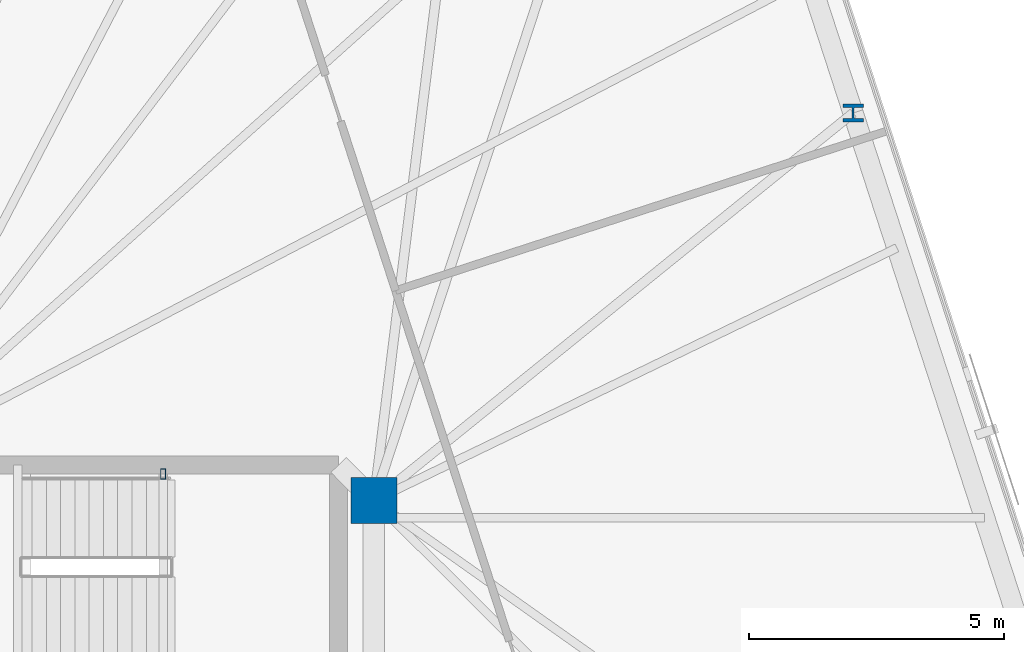
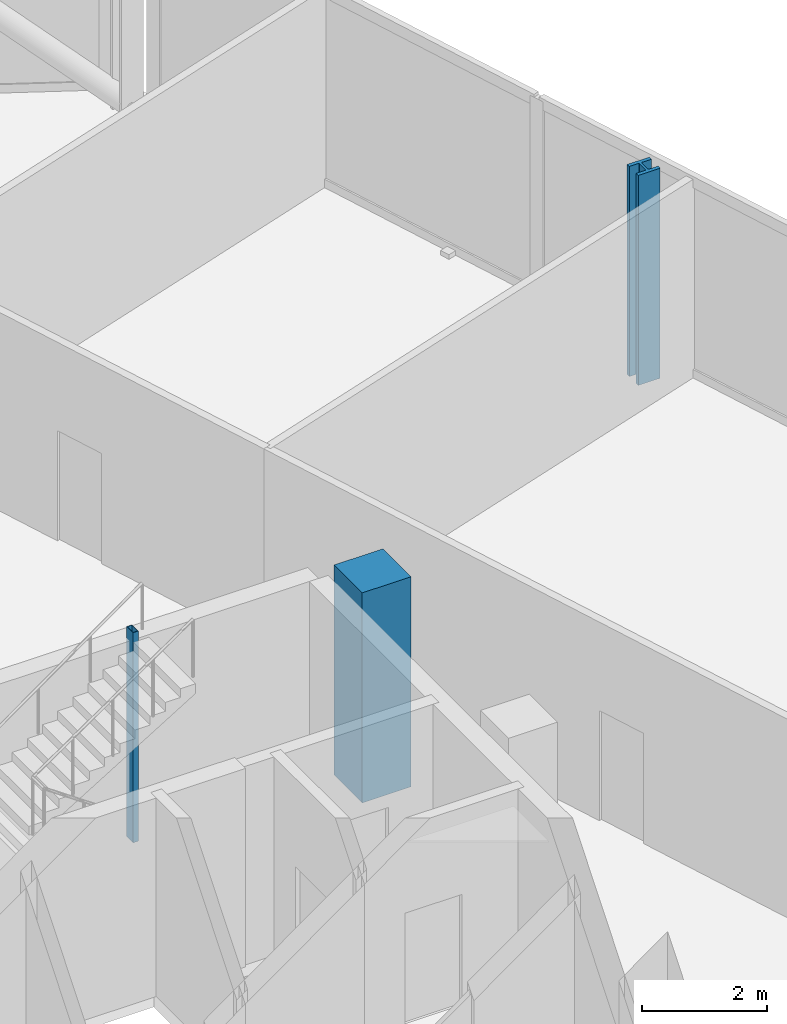
# One storey, part 3 of 14: 3 columns.
"""IFC4 building model written with IfcOpenShell, lengths in metres."""

from ifc_helpers import new_model, si_unit, direction, frame, origin, origin_2d, place, context, subcontext, project, spatial, rectangle, hollow_rectangle, i_section, extrude, material, material_profile, profile_set, type_object, element, save


model = new_model("IFC4")

# Units and contexts
model_context = context("Model", 3, precision=1e-05, world=origin(), true_north=direction((0.0, 1.0)))
body_context = subcontext(model_context, "Body", "Model", "MODEL_VIEW")
ifc_project = project(units=[si_unit("LENGTHUNIT", "METRE"), si_unit("AREAUNIT", "SQUARE_METRE"), si_unit("VOLUMEUNIT", "CUBIC_METRE"), si_unit("PLANEANGLEUNIT", "RADIAN"), si_unit("MASSUNIT", "GRAM", prefix="KILO")], contexts=[model_context])

# Site, building, storey
site_placement = place(None, origin())
site = spatial("IfcSite", under=ifc_project, at=site_placement, CompositionType="ELEMENT")
building_placement = place(site_placement, origin())
building = spatial("IfcBuilding", under=site, at=building_placement, Name="Menara Jurai Vektor", CompositionType="ELEMENT")
storey_placement = place(building_placement, frame((0.0, 0.0, 206.800048828125)))
storey = spatial("IfcBuildingStorey", under=building, at=storey_placement, Name="L54", CompositionType="ELEMENT", Elevation=206.800048828125)

# Columns
ifc_material_1 = material(Name="Concrete C50/60", Category="concrete")
ifc_material_profile_1 = material_profile(ifc_material_1, rectangle(XDim=0.89990234375, YDim=0.89990234375, at=origin_2d()), Name="RC 900x900")
ifc_profile_set_1 = profile_set([ifc_material_profile_1], Name="Concrete C50/60")
column_type_1 = type_object("IfcColumnType", Name="STR-COL-RC900", PredefinedType="COLUMN", material=ifc_profile_set_1)
column_1_placement = place(storey_placement, frame((15.25, 4.89990234375, 0.0), z_axis=(0.0, 0.0, 1.0), x_axis=(1.0, 0.0, 0.0)))
element("IfcColumn", 1, at=column_1_placement, inside=storey, type_object=column_type_1, Name="Core Spine Column CE-NE L54", PredefinedType="COLUMN", context=body_context, shape_type="SweptSolid", body=[
    extrude(rectangle(XDim=0.89990234375, YDim=0.89990234375, at=origin_2d()), origin(), (0.0, 0.0, 1.0), 4.099853515625),
])
ifc_material_2 = material(Name="Steel S355", Category="steel")
ifc_material_profile_2 = material_profile(ifc_material_2, hollow_rectangle(XDim=0.10009765625, YDim=0.199951171875, WallThickness=0.008056640625, at=origin_2d()), Name="RHS 200x100x8")
ifc_profile_set_2 = profile_set([ifc_material_profile_2], Name="Steel S355")
column_type_2 = type_object("IfcColumnType", Name="STR-COL-STAIR", PredefinedType="COLUMN", material=ifc_profile_set_2)
column_2_placement = place(storey_placement, frame((11.1201171875, 5.419921875, 0.0), z_axis=(0.0, 0.0, 1.0), x_axis=(1.0, 0.0, 0.0)))
element("IfcColumn", 2, at=column_2_placement, inside=storey, type_object=column_type_2, Name="Stair Well Header Column ST2-P2 L54", PredefinedType="COLUMN", context=body_context, shape_type="SweptSolid", body=[
    extrude(hollow_rectangle(XDim=0.10009765625, YDim=0.199951171875, WallThickness=0.008056640625, at=origin_2d()), origin(), (0.0, 0.0, 1.0), 4.099853515625),
])
ifc_material_3 = material(Name="Steel S460", Category="steel")
ifc_material_profile_3 = material_profile(ifc_material_3, i_section(OverallWidth=0.405029296875, OverallDepth=0.35498046875, WebThickness=0.0419921875, FlangeThickness=0.068115234375, FilletRadius=0.014892578125, at=origin_2d()), Name="HD 400x551")
ifc_profile_set_3 = profile_set([ifc_material_profile_3], Name="Steel S460")
column_type_3 = type_object("IfcColumnType", Name="STR-EXO-BLK4", PredefinedType="COLUMN", material=ifc_profile_set_3)
column_3_placement = place(storey_placement, frame((24.641845703125, 12.496826171875, 0.0), z_axis=(0.0, 0.0, 1.0), x_axis=(1.0, 0.0, 0.0)))
element("IfcColumn", 3, at=column_3_placement, inside=storey, type_object=column_type_3, Name="Exoskeleton Column BLK4-E3 L54", PredefinedType="COLUMN", context=body_context, shape_type="SweptSolid", body=[
    extrude(i_section(OverallWidth=0.405029296875, OverallDepth=0.35498046875, WebThickness=0.0419921875, FlangeThickness=0.068115234375, FilletRadius=0.014892578125, at=origin_2d()), origin(), (0.0, 0.0, 1.0), 4.099853515625),
])

save(model, "model.ifc")
